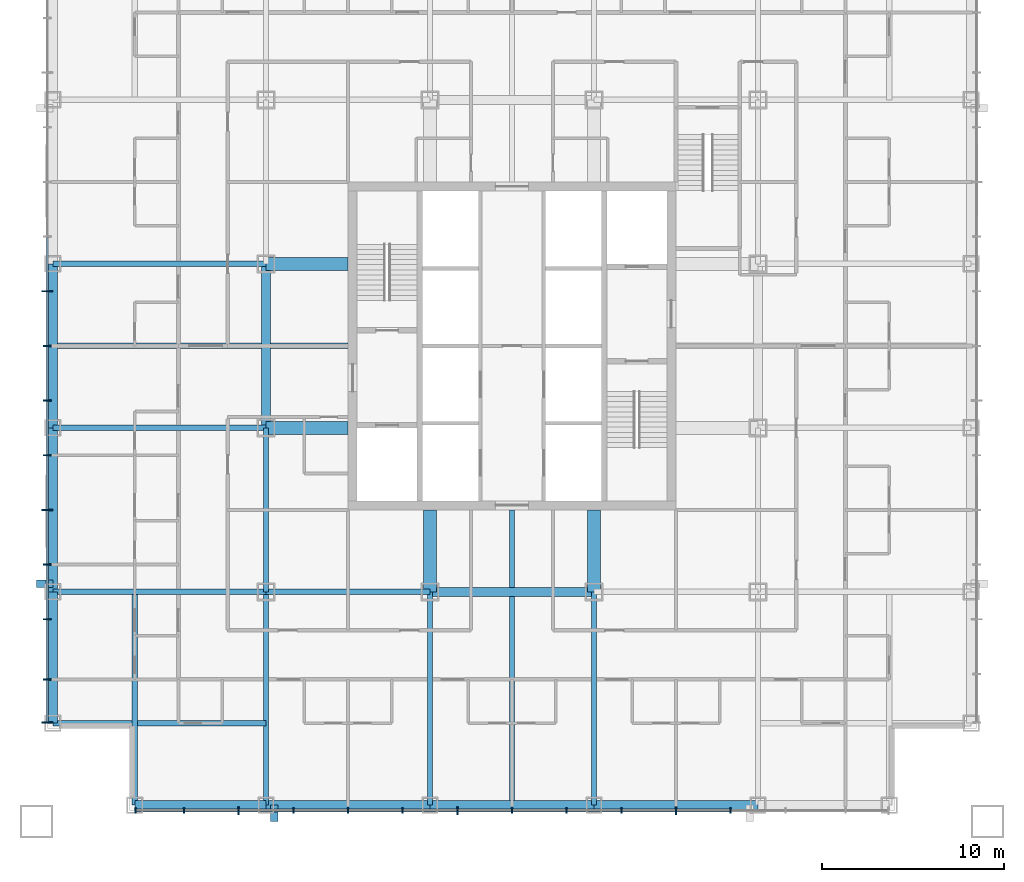
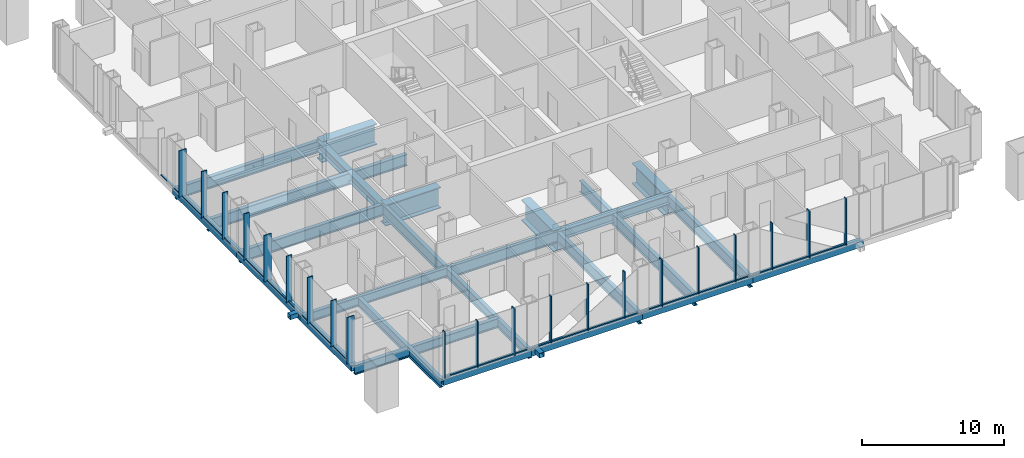
# One storey, part 2 of 13: 43 members, 25 beams, 2 elements without a shape of their own.
"""IFC4 building model written with IfcOpenShell, lengths in metres."""

from ifc_helpers import new_model, si_unit, direction, frame, origin, origin_2d, place, context, subcontext, project, spatial, rectangle, hollow_rectangle, i_section, extrude, material, layer, layer_set, material_profile, profile_set, type_object, element, aggregate, save


model = new_model("IFC4")

# Units and contexts
model_context = context("Model", 3, precision=1e-05, world=origin(), true_north=direction((0.0, 1.0)))
body_context = subcontext(model_context, "Body", "Model", "MODEL_VIEW")
ifc_project = project(units=[si_unit("LENGTHUNIT", "METRE"), si_unit("AREAUNIT", "SQUARE_METRE"), si_unit("VOLUMEUNIT", "CUBIC_METRE"), si_unit("PLANEANGLEUNIT", "RADIAN"), si_unit("MASSUNIT", "GRAM", prefix="KILO")], contexts=[model_context])

# Site, building, storey
site_placement = place(None, origin())
site = spatial("IfcSite", under=ifc_project, at=site_placement, CompositionType="ELEMENT")
building_placement = place(site_placement, origin())
building = spatial("IfcBuilding", under=site, at=building_placement, Name="Malebo Sky Hospital", CompositionType="ELEMENT")
storey_placement = place(building_placement, frame((0.0, 0.0, 39.0)))
storey = spatial("IfcBuildingStorey", under=building, at=storey_placement, Name="L08", CompositionType="ELEMENT", Elevation=39.0)

# Curtain wall, members
ifc_material_1 = material(Name="Anodised aluminium, natural silver", Category="aluminium")
ifc_layer_1 = layer(ifc_material_1, 0.25)
ifc_layer_set_1 = layer_set([ifc_layer_1], Name="WARD CURTAIN WALL EAST AND WEST")
curtain_wall_type_1 = type_object("IfcCurtainWallType", Name="WARD CURTAIN WALL EAST AND WEST", PredefinedType="NOTDEFINED", material=ifc_layer_set_1)
curtain_wall_1_placement = place(storey_placement, origin())
curtain_wall_1 = element("IfcCurtainWall", 1, at=curtain_wall_1_placement, inside=storey, type_object=curtain_wall_type_1, Name="EW curtain wall W", PredefinedType="NOTDEFINED")
ifc_material_profile_1 = material_profile(ifc_material_1, rectangle(XDim=0.14990234375, YDim=0.10009765625, at=origin_2d()), Name="ALUMINIUM TRANSOM 150x100")
ifc_profile_set_1 = profile_set([ifc_material_profile_1], Name="Anodised aluminium, natural silver")
member_type_1 = type_object("IfcMemberType", Name="ALUMINIUM TRANSOM 150x100", PredefinedType="USERDEFINED", material=ifc_profile_set_1)
member_1_placement = place(storey_placement, frame((34.5, 41.375, 0.050048828125), z_axis=(0.0, 1.0, 0.0), x_axis=(-1.0, 0.0, 0.0)))
member_1 = element("IfcMember", 2, at=member_1_placement, type_object=member_type_1, Name="Transom 1", ObjectType="TRANSOM", PredefinedType="USERDEFINED", context=body_context, shape_type="SweptSolid", body=[
    extrude(rectangle(XDim=0.14990234375, YDim=0.10009765625, at=origin_2d()), origin(), (0.0, 0.0, 1.0), 2.28759765625),
])
member_2_placement = place(storey_placement, frame((34.5, 43.737548828125, 0.050048828125), z_axis=(0.0, 1.0, 0.0), x_axis=(-1.0, 0.0, 0.0)))
member_2 = element("IfcMember", 3, at=member_2_placement, type_object=member_type_1, Name="Transom 2", ObjectType="TRANSOM", PredefinedType="USERDEFINED", context=body_context, shape_type="SweptSolid", body=[
    extrude(rectangle(XDim=0.14990234375, YDim=0.10009765625, at=origin_2d()), origin(), (0.0, 0.0, 1.0), 3.224853515625),
])
member_3_placement = place(storey_placement, frame((34.5, 47.03759765625, 0.050048828125), z_axis=(0.0, 1.0, 0.0), x_axis=(-1.0, 0.0, 0.0)))
member_3 = element("IfcMember", 4, at=member_3_placement, type_object=member_type_1, Name="Transom 3", ObjectType="TRANSOM", PredefinedType="USERDEFINED", context=body_context, shape_type="SweptSolid", body=[
    extrude(rectangle(XDim=0.14990234375, YDim=0.10009765625, at=origin_2d()), origin(), (0.0, 0.0, 1.0), 2.9248046875),
])
member_4_placement = place(storey_placement, frame((34.5, 50.03759765625, 0.050048828125), z_axis=(0.0, 1.0, 0.0), x_axis=(-1.0, 0.0, 0.0)))
member_4 = element("IfcMember", 5, at=member_4_placement, type_object=member_type_1, Name="Transom 4", ObjectType="TRANSOM", PredefinedType="USERDEFINED", context=body_context, shape_type="SweptSolid", body=[
    extrude(rectangle(XDim=0.14990234375, YDim=0.10009765625, at=origin_2d()), origin(), (0.0, 0.0, 1.0), 2.9248046875),
])
member_5_placement = place(storey_placement, frame((34.5, 53.03759765625, 0.050048828125), z_axis=(0.0, 1.0, 0.0), x_axis=(-1.0, 0.0, 0.0)))
member_5 = element("IfcMember", 6, at=member_5_placement, type_object=member_type_1, Name="Transom 5", ObjectType="TRANSOM", PredefinedType="USERDEFINED", context=body_context, shape_type="SweptSolid", body=[
    extrude(rectangle(XDim=0.14990234375, YDim=0.10009765625, at=origin_2d()), origin(), (0.0, 0.0, 1.0), 2.9248046875),
])
member_6_placement = place(storey_placement, frame((34.5, 56.03759765625, 0.050048828125), z_axis=(0.0, 1.0, 0.0), x_axis=(-1.0, 0.0, 0.0)))
member_6 = element("IfcMember", 7, at=member_6_placement, type_object=member_type_1, Name="Transom 6", ObjectType="TRANSOM", PredefinedType="USERDEFINED", context=body_context, shape_type="SweptSolid", body=[
    extrude(rectangle(XDim=0.14990234375, YDim=0.10009765625, at=origin_2d()), origin(), (0.0, 0.0, 1.0), 2.9248046875),
])
member_7_placement = place(storey_placement, frame((34.5, 59.03759765625, 0.050048828125), z_axis=(0.0, 1.0, 0.0), x_axis=(-1.0, 0.0, 0.0)))
member_7 = element("IfcMember", 8, at=member_7_placement, type_object=member_type_1, Name="Transom 7", ObjectType="TRANSOM", PredefinedType="USERDEFINED", context=body_context, shape_type="SweptSolid", body=[
    extrude(rectangle(XDim=0.14990234375, YDim=0.10009765625, at=origin_2d()), origin(), (0.0, 0.0, 1.0), 2.9248046875),
])
member_8_placement = place(storey_placement, frame((34.5, 62.03759765625, 0.050048828125), z_axis=(0.0, 1.0, 0.0), x_axis=(-1.0, 0.0, 0.0)))
member_8 = element("IfcMember", 9, at=member_8_placement, type_object=member_type_1, Name="Transom 8", ObjectType="TRANSOM", PredefinedType="USERDEFINED", context=body_context, shape_type="SweptSolid", body=[
    extrude(rectangle(XDim=0.14990234375, YDim=0.10009765625, at=origin_2d()), origin(), (0.0, 0.0, 1.0), 2.9248046875),
])
member_9_placement = place(storey_placement, frame((34.5, 65.03759765625, 0.050048828125), z_axis=(0.0, 1.0, 0.0), x_axis=(-1.0, 0.0, 0.0)))
member_9 = element("IfcMember", 10, at=member_9_placement, type_object=member_type_1, Name="Transom 9", ObjectType="TRANSOM", PredefinedType="USERDEFINED", context=body_context, shape_type="SweptSolid", body=[
    extrude(rectangle(XDim=0.14990234375, YDim=0.10009765625, at=origin_2d()), origin(), (0.0, 0.0, 1.0), 2.9248046875),
])

ifc_layer_2 = layer(ifc_material_1, 0.25)
ifc_layer_set_2 = layer_set([ifc_layer_2], Name="WARD CURTAIN WALL NORTH AND SOUTH")
curtain_wall_type_2 = type_object("IfcCurtainWallType", Name="WARD CURTAIN WALL NORTH AND SOUTH", PredefinedType="NOTDEFINED", material=ifc_layer_set_2)
curtain_wall_2_placement = place(storey_placement, origin())
curtain_wall_2 = element("IfcCurtainWall", 11, at=curtain_wall_2_placement, inside=storey, type_object=curtain_wall_type_2, Name="NS curtain wall S", PredefinedType="NOTDEFINED")
member_10_placement = place(storey_placement, frame((71.96240234375, 36.5, 0.050048828125), z_axis=(-1.0, 0.0, 0.0), x_axis=(0.0, -1.0, 0.0)))
member_10 = element("IfcMember", 12, at=member_10_placement, type_object=member_type_1, Name="Transom 4", ObjectType="TRANSOM", PredefinedType="USERDEFINED", context=body_context, shape_type="SweptSolid", body=[
    extrude(rectangle(XDim=0.14990234375, YDim=0.10009765625, at=origin_2d()), origin(), (0.0, 0.0, 1.0), 2.9248046875),
])
member_11_placement = place(storey_placement, frame((68.96240234375, 36.5, 0.050048828125), z_axis=(-1.0, 0.0, 0.0), x_axis=(0.0, -1.0, 0.0)))
member_11 = element("IfcMember", 13, at=member_11_placement, type_object=member_type_1, Name="Transom 5", ObjectType="TRANSOM", PredefinedType="USERDEFINED", context=body_context, shape_type="SweptSolid", body=[
    extrude(rectangle(XDim=0.14990234375, YDim=0.10009765625, at=origin_2d()), origin(), (0.0, 0.0, 1.0), 2.9248046875),
])
member_12_placement = place(storey_placement, frame((65.96240234375, 36.5, 0.050048828125), z_axis=(-1.0, 0.0, 0.0), x_axis=(0.0, -1.0, 0.0)))
member_12 = element("IfcMember", 14, at=member_12_placement, type_object=member_type_1, Name="Transom 6", ObjectType="TRANSOM", PredefinedType="USERDEFINED", context=body_context, shape_type="SweptSolid", body=[
    extrude(rectangle(XDim=0.14990234375, YDim=0.10009765625, at=origin_2d()), origin(), (0.0, 0.0, 1.0), 2.9248046875),
])
member_13_placement = place(storey_placement, frame((62.96240234375, 36.5, 0.050048828125), z_axis=(-1.0, 0.0, 0.0), x_axis=(0.0, -1.0, 0.0)))
member_13 = element("IfcMember", 15, at=member_13_placement, type_object=member_type_1, Name="Transom 7", ObjectType="TRANSOM", PredefinedType="USERDEFINED", context=body_context, shape_type="SweptSolid", body=[
    extrude(rectangle(XDim=0.14990234375, YDim=0.10009765625, at=origin_2d()), origin(), (0.0, 0.0, 1.0), 2.9248046875),
])
member_14_placement = place(storey_placement, frame((59.96240234375, 36.5, 0.050048828125), z_axis=(-1.0, 0.0, 0.0), x_axis=(0.0, -1.0, 0.0)))
member_14 = element("IfcMember", 16, at=member_14_placement, type_object=member_type_1, Name="Transom 8", ObjectType="TRANSOM", PredefinedType="USERDEFINED", context=body_context, shape_type="SweptSolid", body=[
    extrude(rectangle(XDim=0.14990234375, YDim=0.10009765625, at=origin_2d()), origin(), (0.0, 0.0, 1.0), 2.9248046875),
])
member_15_placement = place(storey_placement, frame((56.96240234375, 36.5, 0.050048828125), z_axis=(-1.0, 0.0, 0.0), x_axis=(0.0, -1.0, 0.0)))
member_15 = element("IfcMember", 17, at=member_15_placement, type_object=member_type_1, Name="Transom 9", ObjectType="TRANSOM", PredefinedType="USERDEFINED", context=body_context, shape_type="SweptSolid", body=[
    extrude(rectangle(XDim=0.14990234375, YDim=0.10009765625, at=origin_2d()), origin(), (0.0, 0.0, 1.0), 2.9248046875),
])
member_16_placement = place(storey_placement, frame((53.96240234375, 36.5, 0.050048828125), z_axis=(-1.0, 0.0, 0.0), x_axis=(0.0, -1.0, 0.0)))
member_16 = element("IfcMember", 18, at=member_16_placement, type_object=member_type_1, Name="Transom 10", ObjectType="TRANSOM", PredefinedType="USERDEFINED", context=body_context, shape_type="SweptSolid", body=[
    extrude(rectangle(XDim=0.14990234375, YDim=0.10009765625, at=origin_2d()), origin(), (0.0, 0.0, 1.0), 2.9248046875),
])
member_17_placement = place(storey_placement, frame((50.96240234375, 36.5, 0.050048828125), z_axis=(-1.0, 0.0, 0.0), x_axis=(0.0, -1.0, 0.0)))
member_17 = element("IfcMember", 19, at=member_17_placement, type_object=member_type_1, Name="Transom 11", ObjectType="TRANSOM", PredefinedType="USERDEFINED", context=body_context, shape_type="SweptSolid", body=[
    extrude(rectangle(XDim=0.14990234375, YDim=0.10009765625, at=origin_2d()), origin(), (0.0, 0.0, 1.0), 2.9248046875),
])
member_18_placement = place(storey_placement, frame((47.96240234375, 36.5, 0.050048828125), z_axis=(-1.0, 0.0, 0.0), x_axis=(0.0, -1.0, 0.0)))
member_18 = element("IfcMember", 20, at=member_18_placement, type_object=member_type_1, Name="Transom 12", ObjectType="TRANSOM", PredefinedType="USERDEFINED", context=body_context, shape_type="SweptSolid", body=[
    extrude(rectangle(XDim=0.14990234375, YDim=0.10009765625, at=origin_2d()), origin(), (0.0, 0.0, 1.0), 2.9248046875),
])
member_19_placement = place(storey_placement, frame((44.96240234375, 36.5, 0.050048828125), z_axis=(-1.0, 0.0, 0.0), x_axis=(0.0, -1.0, 0.0)))
member_19 = element("IfcMember", 21, at=member_19_placement, type_object=member_type_1, Name="Transom 13", ObjectType="TRANSOM", PredefinedType="USERDEFINED", context=body_context, shape_type="SweptSolid", body=[
    extrude(rectangle(XDim=0.14990234375, YDim=0.10009765625, at=origin_2d()), origin(), (0.0, 0.0, 1.0), 2.9248046875),
])
member_20_placement = place(storey_placement, frame((41.96240234375, 36.5, 0.050048828125), z_axis=(-1.0, 0.0, 0.0), x_axis=(0.0, -1.0, 0.0)))
member_20 = element("IfcMember", 22, at=member_20_placement, type_object=member_type_1, Name="Transom 14", ObjectType="TRANSOM", PredefinedType="USERDEFINED", context=body_context, shape_type="SweptSolid", body=[
    extrude(rectangle(XDim=0.14990234375, YDim=0.10009765625, at=origin_2d()), origin(), (0.0, 0.0, 1.0), 2.58740234375),
])

# Members
ifc_material_2 = material(Name="Steel S355", Category="steel")
ifc_material_profile_2 = material_profile(ifc_material_2, hollow_rectangle(XDim=0.39990234375, YDim=0.39990234375, WallThickness=0.02001953125, at=origin_2d()), Name="SHS 400x20")
ifc_profile_set_2 = profile_set([ifc_material_profile_2], Name="Steel S355")
member_type_2 = type_object("IfcMemberType", Name="BRACE STRUT SHS 400x20", PredefinedType="STRUT", material=ifc_profile_set_2)
for number, where, z_axis, x_axis, name in (
    (23, (46.949951171875, 35.89990234375, -0.39990234375), (0.0, 1.0, 0.0), (-1.0, 0.0, 0.0), "Brace strut AS1 L08"),
    (24, (33.89990234375, 48.949951171875, -0.39990234375), (1.0, 0.0, 0.0), (0.0, 1.0, 0.0), "Brace strut AW2 L08"),
):
    element("IfcMember", number, at=place(storey_placement, frame(where, z_axis=z_axis, x_axis=x_axis)), inside=storey, type_object=member_type_2, Name=name, PredefinedType="STRUT", context=body_context, shape_type="SweptSolid", body=[
        extrude(hollow_rectangle(XDim=0.39990234375, YDim=0.39990234375, WallThickness=0.02001953125, at=origin_2d()), origin(), (0.0, 0.0, 1.0), 0.900146484375),
    ])

# Member
ifc_material_profile_3 = material_profile(ifc_material_1, rectangle(XDim=0.074951171875, YDim=0.300048828125, at=origin_2d()), Name="CW1 ALUMINIUM FIN MULLION 75x300")
ifc_profile_set_3 = profile_set([ifc_material_profile_3], Name="Anodised aluminium, natural silver")
member_type_3 = type_object("IfcMemberType", Name="CW1 ALUMINIUM FIN MULLION 75x300", PredefinedType="MULLION", material=ifc_profile_set_3)
member_21_placement = place(storey_placement, frame((72.0, 36.5, 0.0), z_axis=(0.0, 0.0, 1.0), x_axis=(-1.0, 0.0, 0.0)))
member_21 = element("IfcMember", 25, at=member_21_placement, type_object=member_type_3, Name="Fin mullion 4", PredefinedType="MULLION", context=body_context, shape_type="SweptSolid", body=[
    extrude(rectangle(XDim=0.074951171875, YDim=0.300048828125, at=origin_2d()), origin(), (0.0, 0.0, 1.0), 4.0),
])

member_22_placement = place(storey_placement, frame((66.0, 36.5, 0.0), z_axis=(0.0, 0.0, 1.0), x_axis=(-1.0, 0.0, 0.0)))
member_22 = element("IfcMember", 26, at=member_22_placement, type_object=member_type_3, Name="Fin mullion 6", PredefinedType="MULLION", context=body_context, shape_type="SweptSolid", body=[
    extrude(rectangle(XDim=0.074951171875, YDim=0.300048828125, at=origin_2d()), origin(), (0.0, 0.0, 1.0), 4.0),
])

member_23_placement = place(storey_placement, frame((63.0, 36.5, 0.0), z_axis=(0.0, 0.0, 1.0), x_axis=(-1.0, 0.0, 0.0)))
member_23 = element("IfcMember", 27, at=member_23_placement, type_object=member_type_3, Name="Fin mullion 7", PredefinedType="MULLION", context=body_context, shape_type="SweptSolid", body=[
    extrude(rectangle(XDim=0.074951171875, YDim=0.300048828125, at=origin_2d()), origin(), (0.0, 0.0, 1.0), 4.0),
])

member_24_placement = place(storey_placement, frame((60.0, 36.5, 0.0), z_axis=(0.0, 0.0, 1.0), x_axis=(-1.0, 0.0, 0.0)))
member_24 = element("IfcMember", 28, at=member_24_placement, type_object=member_type_3, Name="Fin mullion 8", PredefinedType="MULLION", context=body_context, shape_type="SweptSolid", body=[
    extrude(rectangle(XDim=0.074951171875, YDim=0.300048828125, at=origin_2d()), origin(), (0.0, 0.0, 1.0), 4.0),
])

member_25_placement = place(storey_placement, frame((54.0, 36.5, 0.0), z_axis=(0.0, 0.0, 1.0), x_axis=(-1.0, 0.0, 0.0)))
member_25 = element("IfcMember", 29, at=member_25_placement, type_object=member_type_3, Name="Fin mullion 10", PredefinedType="MULLION", context=body_context, shape_type="SweptSolid", body=[
    extrude(rectangle(XDim=0.074951171875, YDim=0.300048828125, at=origin_2d()), origin(), (0.0, 0.0, 1.0), 4.0),
])

member_26_placement = place(storey_placement, frame((51.0, 36.5, 0.0), z_axis=(0.0, 0.0, 1.0), x_axis=(-1.0, 0.0, 0.0)))
member_26 = element("IfcMember", 30, at=member_26_placement, type_object=member_type_3, Name="Fin mullion 11", PredefinedType="MULLION", context=body_context, shape_type="SweptSolid", body=[
    extrude(rectangle(XDim=0.074951171875, YDim=0.300048828125, at=origin_2d()), origin(), (0.0, 0.0, 1.0), 4.0),
])

member_27_placement = place(storey_placement, frame((48.0, 36.5, 0.0), z_axis=(0.0, 0.0, 1.0), x_axis=(-1.0, 0.0, 0.0)))
member_27 = element("IfcMember", 31, at=member_27_placement, type_object=member_type_3, Name="Fin mullion 12", PredefinedType="MULLION", context=body_context, shape_type="SweptSolid", body=[
    extrude(rectangle(XDim=0.074951171875, YDim=0.300048828125, at=origin_2d()), origin(), (0.0, 0.0, 1.0), 4.0),
])

member_28_placement = place(storey_placement, frame((42.0, 36.5, 0.0), z_axis=(0.0, 0.0, 1.0), x_axis=(-1.0, 0.0, 0.0)))
member_28 = element("IfcMember", 32, at=member_28_placement, type_object=member_type_3, Name="Fin mullion 14", PredefinedType="MULLION", context=body_context, shape_type="SweptSolid", body=[
    extrude(rectangle(XDim=0.074951171875, YDim=0.300048828125, at=origin_2d()), origin(), (0.0, 0.0, 1.0), 4.0),
])

member_29_placement = place(storey_placement, frame((39.33740234375, 36.5, 0.0), z_axis=(0.0, 0.0, 1.0), x_axis=(-1.0, 0.0, 0.0)))
member_29 = element("IfcMember", 33, at=member_29_placement, type_object=member_type_3, Name="Fin mullion 15", PredefinedType="MULLION", context=body_context, shape_type="SweptSolid", body=[
    extrude(rectangle(XDim=0.074951171875, YDim=0.300048828125, at=origin_2d()), origin(), (0.0, 0.0, 1.0), 4.0),
])

ifc_material_profile_4 = material_profile(ifc_material_1, rectangle(XDim=0.074951171875, YDim=0.449951171875, at=origin_2d()), Name="CW1 ALUMINIUM FIN MULLION 75x450")
ifc_profile_set_4 = profile_set([ifc_material_profile_4], Name="Anodised aluminium, natural silver")
member_type_4 = type_object("IfcMemberType", Name="CW1 ALUMINIUM FIN MULLION 75x450", PredefinedType="MULLION", material=ifc_profile_set_4)
member_30_placement = place(storey_placement, frame((69.0, 36.5, 0.0), z_axis=(0.0, 0.0, 1.0), x_axis=(-1.0, 0.0, 0.0)))
member_30 = element("IfcMember", 34, at=member_30_placement, type_object=member_type_4, Name="Fin mullion 5", PredefinedType="MULLION", context=body_context, shape_type="SweptSolid", body=[
    extrude(rectangle(XDim=0.074951171875, YDim=0.449951171875, at=origin_2d()), origin(), (0.0, 0.0, 1.0), 4.0),
])

member_31_placement = place(storey_placement, frame((57.0, 36.5, 0.0), z_axis=(0.0, 0.0, 1.0), x_axis=(-1.0, 0.0, 0.0)))
member_31 = element("IfcMember", 35, at=member_31_placement, type_object=member_type_4, Name="Fin mullion 9", PredefinedType="MULLION", context=body_context, shape_type="SweptSolid", body=[
    extrude(rectangle(XDim=0.074951171875, YDim=0.449951171875, at=origin_2d()), origin(), (0.0, 0.0, 1.0), 4.0),
])

member_32_placement = place(storey_placement, frame((45.0, 36.5, 0.0), z_axis=(0.0, 0.0, 1.0), x_axis=(-1.0, 0.0, 0.0)))
member_32 = element("IfcMember", 36, at=member_32_placement, type_object=member_type_4, Name="Fin mullion 13", PredefinedType="MULLION", context=body_context, shape_type="SweptSolid", body=[
    extrude(rectangle(XDim=0.074951171875, YDim=0.449951171875, at=origin_2d()), origin(), (0.0, 0.0, 1.0), 4.0),
])

aggregate(curtain_wall_2, [member_21, member_30, member_22, member_23, member_24, member_31, member_25, member_26, member_27, member_32, member_28, member_29, member_10, member_11, member_12, member_13, member_14, member_15, member_16, member_17, member_18, member_19, member_20])

ifc_material_profile_5 = material_profile(ifc_material_1, rectangle(XDim=0.074951171875, YDim=0.449951171875, at=origin_2d()), Name="CW2 ALUMINIUM FIN MULLION 75x450")
ifc_profile_set_5 = profile_set([ifc_material_profile_5], Name="Anodised aluminium, natural silver")
member_type_5 = type_object("IfcMemberType", Name="CW2 ALUMINIUM FIN MULLION 75x450", PredefinedType="MULLION", material=ifc_profile_set_5)
member_33_placement = place(storey_placement, frame((34.5, 43.699951171875, 0.0), z_axis=(0.0, 0.0, 1.0), x_axis=(0.0, 1.0, 0.0)))
member_33 = element("IfcMember", 37, at=member_33_placement, type_object=member_type_5, Name="Fin mullion 2", PredefinedType="MULLION", context=body_context, shape_type="SweptSolid", body=[
    extrude(rectangle(XDim=0.074951171875, YDim=0.449951171875, at=origin_2d()), origin(), (0.0, 0.0, 1.0), 4.0),
])

member_34_placement = place(storey_placement, frame((34.5, 47.0, 0.0), z_axis=(0.0, 0.0, 1.0), x_axis=(0.0, 1.0, 0.0)))
member_34 = element("IfcMember", 38, at=member_34_placement, type_object=member_type_5, Name="Fin mullion 3", PredefinedType="MULLION", context=body_context, shape_type="SweptSolid", body=[
    extrude(rectangle(XDim=0.074951171875, YDim=0.449951171875, at=origin_2d()), origin(), (0.0, 0.0, 1.0), 4.0),
])

member_35_placement = place(storey_placement, frame((34.5, 50.0, 0.0), z_axis=(0.0, 0.0, 1.0), x_axis=(0.0, 1.0, 0.0)))
member_35 = element("IfcMember", 39, at=member_35_placement, type_object=member_type_5, Name="Fin mullion 4", PredefinedType="MULLION", context=body_context, shape_type="SweptSolid", body=[
    extrude(rectangle(XDim=0.074951171875, YDim=0.449951171875, at=origin_2d()), origin(), (0.0, 0.0, 1.0), 4.0),
])

member_36_placement = place(storey_placement, frame((34.5, 56.0, 0.0), z_axis=(0.0, 0.0, 1.0), x_axis=(0.0, 1.0, 0.0)))
member_36 = element("IfcMember", 40, at=member_36_placement, type_object=member_type_5, Name="Fin mullion 6", PredefinedType="MULLION", context=body_context, shape_type="SweptSolid", body=[
    extrude(rectangle(XDim=0.074951171875, YDim=0.449951171875, at=origin_2d()), origin(), (0.0, 0.0, 1.0), 4.0),
])

member_37_placement = place(storey_placement, frame((34.5, 59.0, 0.0), z_axis=(0.0, 0.0, 1.0), x_axis=(0.0, 1.0, 0.0)))
member_37 = element("IfcMember", 41, at=member_37_placement, type_object=member_type_5, Name="Fin mullion 7", PredefinedType="MULLION", context=body_context, shape_type="SweptSolid", body=[
    extrude(rectangle(XDim=0.074951171875, YDim=0.449951171875, at=origin_2d()), origin(), (0.0, 0.0, 1.0), 4.0),
])

member_38_placement = place(storey_placement, frame((34.5, 62.0, 0.0), z_axis=(0.0, 0.0, 1.0), x_axis=(0.0, 1.0, 0.0)))
member_38 = element("IfcMember", 42, at=member_38_placement, type_object=member_type_5, Name="Fin mullion 8", PredefinedType="MULLION", context=body_context, shape_type="SweptSolid", body=[
    extrude(rectangle(XDim=0.074951171875, YDim=0.449951171875, at=origin_2d()), origin(), (0.0, 0.0, 1.0), 4.0),
])

ifc_material_profile_6 = material_profile(ifc_material_1, rectangle(XDim=0.074951171875, YDim=0.60009765625, at=origin_2d()), Name="CW2 ALUMINIUM FIN MULLION 75x600")
ifc_profile_set_6 = profile_set([ifc_material_profile_6], Name="Anodised aluminium, natural silver")
member_type_6 = type_object("IfcMemberType", Name="CW2 ALUMINIUM FIN MULLION 75x600", PredefinedType="MULLION", material=ifc_profile_set_6)
member_39_placement = place(storey_placement, frame((34.5, 41.33740234375, 0.0), z_axis=(0.0, 0.0, 1.0), x_axis=(0.0, 1.0, 0.0)))
member_39 = element("IfcMember", 43, at=member_39_placement, type_object=member_type_6, Name="Fin mullion 1", PredefinedType="MULLION", context=body_context, shape_type="SweptSolid", body=[
    extrude(rectangle(XDim=0.074951171875, YDim=0.60009765625, at=origin_2d()), origin(), (0.0, 0.0, 1.0), 4.0),
])

member_40_placement = place(storey_placement, frame((34.5, 53.0, 0.0), z_axis=(0.0, 0.0, 1.0), x_axis=(0.0, 1.0, 0.0)))
member_40 = element("IfcMember", 44, at=member_40_placement, type_object=member_type_6, Name="Fin mullion 5", PredefinedType="MULLION", context=body_context, shape_type="SweptSolid", body=[
    extrude(rectangle(XDim=0.074951171875, YDim=0.60009765625, at=origin_2d()), origin(), (0.0, 0.0, 1.0), 4.0),
])

member_41_placement = place(storey_placement, frame((34.5, 65.0, 0.0), z_axis=(0.0, 0.0, 1.0), x_axis=(0.0, 1.0, 0.0)))
member_41 = element("IfcMember", 45, at=member_41_placement, type_object=member_type_6, Name="Fin mullion 9", PredefinedType="MULLION", context=body_context, shape_type="SweptSolid", body=[
    extrude(rectangle(XDim=0.074951171875, YDim=0.60009765625, at=origin_2d()), origin(), (0.0, 0.0, 1.0), 4.0),
])

aggregate(curtain_wall_1, [member_39, member_33, member_34, member_35, member_40, member_36, member_37, member_38, member_41, member_1, member_2, member_3, member_4, member_5, member_6, member_7, member_8, member_9])

# Beams
ifc_material_3 = material(Name="Steel S460", Category="steel")
ifc_material_profile_7 = material_profile(ifc_material_3, hollow_rectangle(XDim=0.5, YDim=0.5, WallThickness=0.030029296875, at=origin_2d()), Name="BOX 500x500x30")
ifc_profile_set_7 = profile_set([ifc_material_profile_7], Name="Steel S460")
beam_type_1 = type_object("IfcBeamType", Name="EDGE BEAM BOX 500x500x30", PredefinedType="BEAM", material=ifc_profile_set_7)
beam_1_placement = place(storey_placement, frame((34.800048828125, 41.300048828125, -0.5), z_axis=(0.0, 1.0, 0.0), x_axis=(-1.0, 0.0, 0.0)))
element("IfcBeam", 46, at=beam_1_placement, inside=storey, type_object=beam_type_1, Name="Beam 000 L08", PredefinedType="BEAM", context=body_context, shape_type="SweptSolid", body=[
    extrude(hollow_rectangle(XDim=0.5, YDim=0.5, WallThickness=0.030029296875, at=origin_2d()), origin(), (0.0, 0.0, 1.0), 7.199951171875),
])
for number, where, z_axis, x_axis, name in (
    (47, (34.800048828125, 48.5, -0.5), (0.0, 1.0, 0.0), (-1.0, 0.0, 0.0), "Beam 001 L08"),
    (48, (34.800048828125, 57.5, -0.5), (0.0, 1.0, 0.0), (-1.0, 0.0, 0.0), "Beam 002 L08"),
):
    element("IfcBeam", number, at=place(storey_placement, frame(where, z_axis=z_axis, x_axis=x_axis)), inside=storey, type_object=beam_type_1, Name=name, PredefinedType="BEAM", context=body_context, shape_type="SweptSolid", body=[
        extrude(hollow_rectangle(XDim=0.5, YDim=0.5, WallThickness=0.030029296875, at=origin_2d()), origin(), (0.0, 0.0, 1.0), 9.0),
    ])
beam_2_placement = place(storey_placement, frame((39.300048828125, 36.800048828125, -0.5), z_axis=(1.0, 0.0, 0.0), x_axis=(0.0, 1.0, 0.0)))
element("IfcBeam", 49, at=beam_2_placement, inside=storey, type_object=beam_type_1, Name="Beam 034 L08", PredefinedType="BEAM", context=body_context, shape_type="SweptSolid", body=[
    extrude(hollow_rectangle(XDim=0.5, YDim=0.5, WallThickness=0.030029296875, at=origin_2d()), origin(), (0.0, 0.0, 1.0), 7.199951171875),
])
for number, where, z_axis, x_axis, name in (
    (50, (46.5, 36.800048828125, -0.5), (1.0, 0.0, 0.0), (0.0, 1.0, 0.0), "Beam 035 L08"),
    (51, (55.5, 36.800048828125, -0.5), (1.0, 0.0, 0.0), (0.0, 1.0, 0.0), "Beam 036 L08"),
    (52, (64.5, 36.800048828125, -0.5), (1.0, 0.0, 0.0), (0.0, 1.0, 0.0), "Beam 037 L08"),
):
    element("IfcBeam", number, at=place(storey_placement, frame(where, z_axis=z_axis, x_axis=x_axis)), inside=storey, type_object=beam_type_1, Name=name, PredefinedType="BEAM", context=body_context, shape_type="SweptSolid", body=[
        extrude(hollow_rectangle(XDim=0.5, YDim=0.5, WallThickness=0.030029296875, at=origin_2d()), origin(), (0.0, 0.0, 1.0), 9.0),
    ])
ifc_material_profile_8 = material_profile(ifc_material_2, i_section(OverallWidth=0.300048828125, OverallDepth=1.0, WebThickness=0.01904296875, FlangeThickness=0.035888671875, FilletRadius=0.030029296875, at=origin_2d()), Name="HEB 1000")
ifc_profile_set_8 = profile_set([ifc_material_profile_8], Name="Steel S355")
beam_type_2 = type_object("IfcBeamType", Name="FLOOR BEAM HEB 1000", PredefinedType="BEAM", material=ifc_profile_set_8)
beam_3_placement = place(storey_placement, frame((46.5, 48.5, -0.75), z_axis=(0.0, 1.0, 0.0), x_axis=(-1.0, 0.0, 0.0)))
element("IfcBeam", 53, at=beam_3_placement, inside=storey, type_object=beam_type_2, Name="Beam 008 L08", PredefinedType="BEAM", context=body_context, shape_type="SweptSolid", body=[
    extrude(i_section(OverallWidth=0.300048828125, OverallDepth=1.0, WebThickness=0.01904296875, FlangeThickness=0.035888671875, FilletRadius=0.030029296875, at=origin_2d()), origin(), (0.0, 0.0, 1.0), 9.0),
])
beam_4_placement = place(storey_placement, frame((55.5, 36.800048828125, -0.75), z_axis=(0.0, 1.0, 0.0), x_axis=(-1.0, 0.0, 0.0)))
element("IfcBeam", 54, at=beam_4_placement, inside=storey, type_object=beam_type_2, Name="Beam 012 L08", PredefinedType="BEAM", context=body_context, shape_type="SweptSolid", body=[
    extrude(i_section(OverallWidth=0.300048828125, OverallDepth=1.0, WebThickness=0.01904296875, FlangeThickness=0.035888671875, FilletRadius=0.030029296875, at=origin_2d()), origin(), (0.0, 0.0, 1.0), 11.699951171875),
])
beam_5_placement = place(storey_placement, frame((60.0, 36.800048828125, -0.75), z_axis=(0.0, 1.0, 0.0), x_axis=(-1.0, 0.0, 0.0)))
element("IfcBeam", 55, at=beam_5_placement, inside=storey, type_object=beam_type_2, Name="Beam 016 L08", PredefinedType="BEAM", context=body_context, shape_type="SweptSolid", body=[
    extrude(i_section(OverallWidth=0.300048828125, OverallDepth=1.0, WebThickness=0.01904296875, FlangeThickness=0.035888671875, FilletRadius=0.030029296875, at=origin_2d()), origin(), (0.0, 0.0, 1.0), 16.199951171875),
])
beam_6_placement = place(storey_placement, frame((64.5, 36.800048828125, -0.75), z_axis=(0.0, 1.0, 0.0), x_axis=(-1.0, 0.0, 0.0)))
element("IfcBeam", 56, at=beam_6_placement, inside=storey, type_object=beam_type_2, Name="Beam 018 L08", PredefinedType="BEAM", context=body_context, shape_type="SweptSolid", body=[
    extrude(i_section(OverallWidth=0.300048828125, OverallDepth=1.0, WebThickness=0.01904296875, FlangeThickness=0.035888671875, FilletRadius=0.030029296875, at=origin_2d()), origin(), (0.0, 0.0, 1.0), 11.699951171875),
])
beam_7_placement = place(storey_placement, frame((46.5, 48.5, -0.75), z_axis=(1.0, 0.0, 0.0), x_axis=(0.0, 1.0, 0.0)))
element("IfcBeam", 57, at=beam_7_placement, inside=storey, type_object=beam_type_2, Name="Beam 042 L08", PredefinedType="BEAM", context=body_context, shape_type="SweptSolid", body=[
    extrude(i_section(OverallWidth=0.300048828125, OverallDepth=1.0, WebThickness=0.01904296875, FlangeThickness=0.035888671875, FilletRadius=0.030029296875, at=origin_2d()), origin(), (0.0, 0.0, 1.0), 9.0),
])
beam_8_placement = place(storey_placement, frame((34.800048828125, 57.5, -0.75), z_axis=(1.0, 0.0, 0.0), x_axis=(0.0, 1.0, 0.0)))
element("IfcBeam", 58, at=beam_8_placement, inside=storey, type_object=beam_type_2, Name="Beam 046 L08", PredefinedType="BEAM", context=body_context, shape_type="SweptSolid", body=[
    extrude(i_section(OverallWidth=0.300048828125, OverallDepth=1.0, WebThickness=0.01904296875, FlangeThickness=0.035888671875, FilletRadius=0.030029296875, at=origin_2d()), origin(), (0.0, 0.0, 1.0), 11.699951171875),
])
beam_9_placement = place(storey_placement, frame((34.800048828125, 62.0, -0.75), z_axis=(1.0, 0.0, 0.0), x_axis=(0.0, 1.0, 0.0)))
element("IfcBeam", 59, at=beam_9_placement, inside=storey, type_object=beam_type_2, Name="Beam 050 L08", PredefinedType="BEAM", context=body_context, shape_type="SweptSolid", body=[
    extrude(i_section(OverallWidth=0.300048828125, OverallDepth=1.0, WebThickness=0.01904296875, FlangeThickness=0.035888671875, FilletRadius=0.030029296875, at=origin_2d()), origin(), (0.0, 0.0, 1.0), 16.199951171875),
])
beam_10_placement = place(storey_placement, frame((34.800048828125, 66.5, -0.75), z_axis=(1.0, 0.0, 0.0), x_axis=(0.0, 1.0, 0.0)))
element("IfcBeam", 60, at=beam_10_placement, inside=storey, type_object=beam_type_2, Name="Beam 052 L08", PredefinedType="BEAM", context=body_context, shape_type="SweptSolid", body=[
    extrude(i_section(OverallWidth=0.300048828125, OverallDepth=1.0, WebThickness=0.01904296875, FlangeThickness=0.035888671875, FilletRadius=0.030029296875, at=origin_2d()), origin(), (0.0, 0.0, 1.0), 11.699951171875),
])
ifc_material_profile_9 = material_profile(ifc_material_2, i_section(OverallWidth=0.300048828125, OverallDepth=0.800048828125, WebThickness=0.017578125, FlangeThickness=0.032958984375, FilletRadius=0.030029296875, at=origin_2d()), Name="HEB 800")
ifc_profile_set_9 = profile_set([ifc_material_profile_9], Name="Steel S355")
beam_type_3 = type_object("IfcBeamType", Name="FLOOR BEAM HEB 800", PredefinedType="BEAM", material=ifc_profile_set_9)
for number, where, z_axis, x_axis, name in (
    (61, (39.300048828125, 36.800048828125, -0.64990234375), (0.0, 1.0, 0.0), (-1.0, 0.0, 0.0), "Beam 005 L08"),
    (62, (34.800048828125, 41.300048828125, -0.64990234375), (1.0, 0.0, 0.0), (0.0, 1.0, 0.0), "Beam 039 L08"),
):
    element("IfcBeam", number, at=place(storey_placement, frame(where, z_axis=z_axis, x_axis=x_axis)), inside=storey, type_object=beam_type_3, Name=name, PredefinedType="BEAM", context=body_context, shape_type="SweptSolid", body=[
        extrude(i_section(OverallWidth=0.300048828125, OverallDepth=0.800048828125, WebThickness=0.017578125, FlangeThickness=0.032958984375, FilletRadius=0.030029296875, at=origin_2d()), origin(), (0.0, 0.0, 1.0), 11.699951171875),
    ])
ifc_material_profile_10 = material_profile(ifc_material_2, i_section(OverallWidth=0.699951171875, OverallDepth=1.800048828125, WebThickness=0.034912109375, FlangeThickness=0.070068359375, at=origin_2d()), Name="PG 1800x700x35x70")
ifc_profile_set_10 = profile_set([ifc_material_profile_10], Name="Steel S355")
beam_type_4 = type_object("IfcBeamType", Name="FLOOR BEAM PG 1800x700x35x70", PredefinedType="BEAM", material=ifc_profile_set_10)
for number, where, z_axis, x_axis, name in (
    (63, (55.5, 48.5, -1.14990234375), (0.0, 1.0, 0.0), (-1.0, 0.0, 0.0), "Beam 013 L08"),
    (64, (64.5, 48.5, -1.14990234375), (0.0, 1.0, 0.0), (-1.0, 0.0, 0.0), "Beam 019 L08"),
    (65, (46.5, 57.5, -1.14990234375), (1.0, 0.0, 0.0), (0.0, 1.0, 0.0), "Beam 047 L08"),
    (66, (46.5, 66.5, -1.14990234375), (1.0, 0.0, 0.0), (0.0, 1.0, 0.0), "Beam 053 L08"),
):
    element("IfcBeam", number, at=place(storey_placement, frame(where, z_axis=z_axis, x_axis=x_axis)), inside=storey, type_object=beam_type_4, Name=name, PredefinedType="BEAM", context=body_context, shape_type="SweptSolid", body=[
        extrude(i_section(OverallWidth=0.699951171875, OverallDepth=1.800048828125, WebThickness=0.034912109375, FlangeThickness=0.070068359375, at=origin_2d()), origin(), (0.0, 0.0, 1.0), 4.5),
    ])
ifc_material_profile_11 = material_profile(ifc_material_2, i_section(OverallWidth=0.300048828125, OverallDepth=0.800048828125, WebThickness=0.017578125, FlangeThickness=0.032958984375, FilletRadius=0.030029296875, at=origin_2d()), Name="HEB 800")
ifc_profile_set_11 = profile_set([ifc_material_profile_11], Name="Steel S355")
beam_type_5 = type_object("IfcBeamType", Name="FLOOR GIRDER HEB 800", PredefinedType="BEAM", material=ifc_profile_set_11)
for number, where, z_axis, x_axis, name in (
    (67, (46.5, 36.800048828125, -0.64990234375), (0.0, 1.0, 0.0), (-1.0, 0.0, 0.0), "Beam 007 L08"),
    (68, (34.800048828125, 48.5, -0.64990234375), (1.0, 0.0, 0.0), (0.0, 1.0, 0.0), "Beam 041 L08"),
):
    element("IfcBeam", number, at=place(storey_placement, frame(where, z_axis=z_axis, x_axis=x_axis)), inside=storey, type_object=beam_type_5, Name=name, PredefinedType="BEAM", context=body_context, shape_type="SweptSolid", body=[
        extrude(i_section(OverallWidth=0.300048828125, OverallDepth=0.800048828125, WebThickness=0.017578125, FlangeThickness=0.032958984375, FilletRadius=0.030029296875, at=origin_2d()), origin(), (0.0, 0.0, 1.0), 11.699951171875),
    ])
ifc_material_profile_12 = material_profile(ifc_material_2, i_section(OverallWidth=0.5, OverallDepth=0.800048828125, WebThickness=0.030029296875, FlangeThickness=0.050048828125, at=origin_2d()), Name="PG 800x500x30x50")
ifc_profile_set_12 = profile_set([ifc_material_profile_12], Name="Steel S355")
beam_type_6 = type_object("IfcBeamType", Name="RING GIRDER PG 800x500x30x50", PredefinedType="BEAM", material=ifc_profile_set_12)
for number, where, z_axis, x_axis, name in (
    (69, (46.5, 57.5, -0.64990234375), (0.0, 1.0, 0.0), (-1.0, 0.0, 0.0), "Beam 009 L08"),
    (70, (55.5, 48.5, -0.64990234375), (1.0, 0.0, 0.0), (0.0, 1.0, 0.0), "Beam 043 L08"),
):
    element("IfcBeam", number, at=place(storey_placement, frame(where, z_axis=z_axis, x_axis=x_axis)), inside=storey, type_object=beam_type_6, Name=name, PredefinedType="BEAM", context=body_context, shape_type="SweptSolid", body=[
        extrude(i_section(OverallWidth=0.5, OverallDepth=0.800048828125, WebThickness=0.030029296875, FlangeThickness=0.050048828125, at=origin_2d()), origin(), (0.0, 0.0, 1.0), 9.0),
    ])

save(model, "model.ifc")
